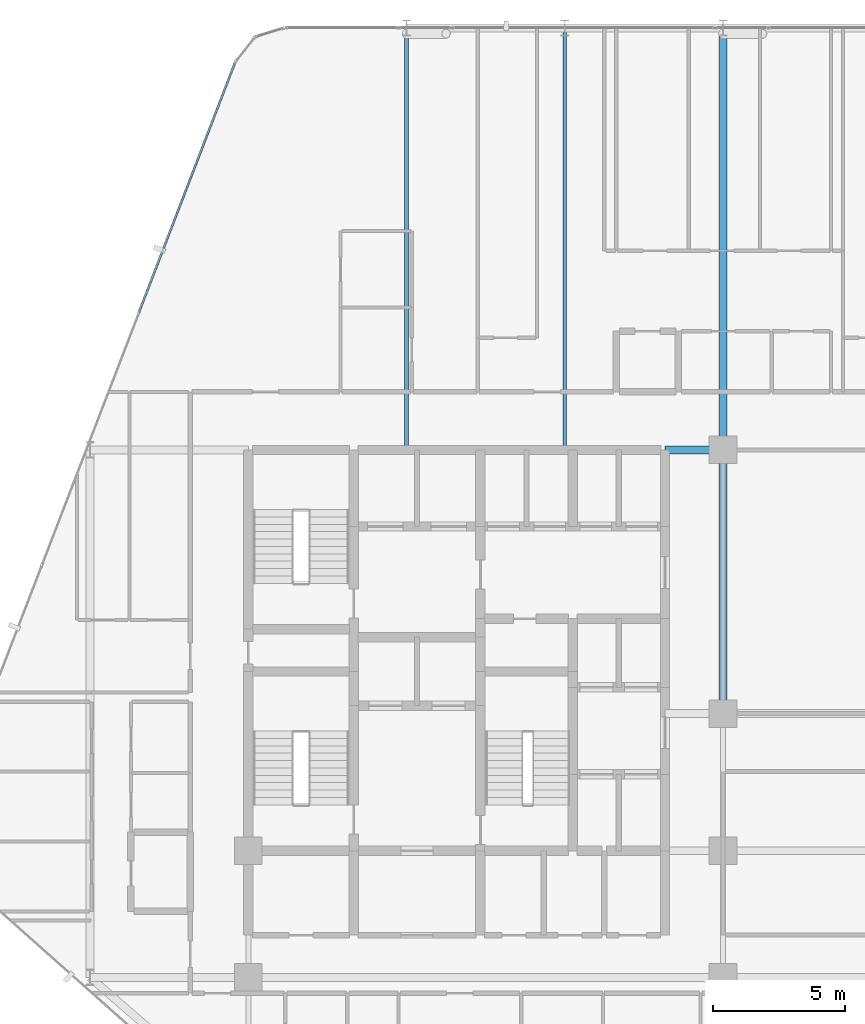
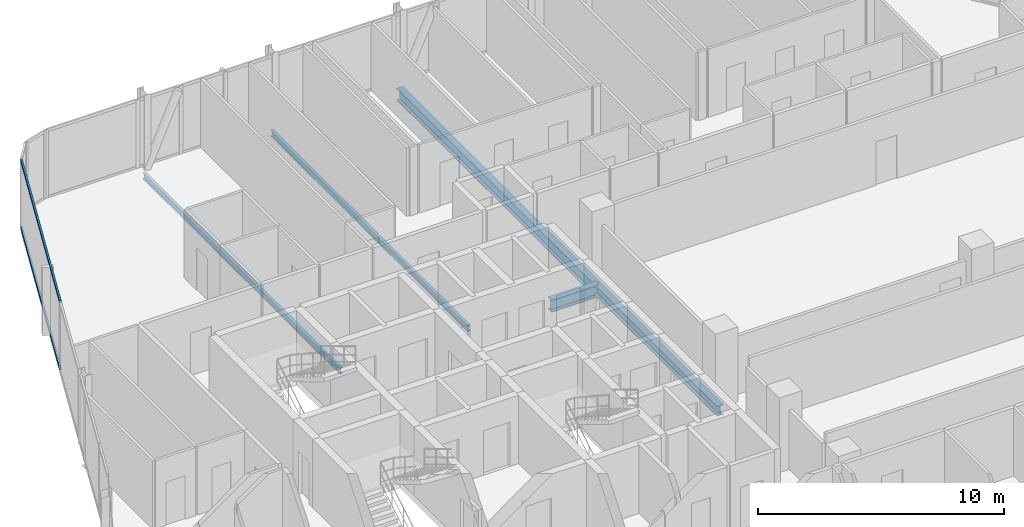
# One storey, part 15 of 29: 5 beams, 2 members, 1 element without a shape of its own.
"""IFC4 building model written with IfcOpenShell, lengths in metres."""

from ifc_helpers import new_model, si_unit, direction, frame, origin, origin_2d, place, context, subcontext, project, spatial, hollow_rectangle, i_section, extrude, material, layer, layer_set, material_profile, profile_set, type_object, element, aggregate, save


model = new_model("IFC4")

# Units and contexts
model_context = context("Model", 3, precision=1e-05, world=origin(), true_north=direction((0.0, 1.0)))
body_context = subcontext(model_context, "Body", "Model", "MODEL_VIEW")
ifc_project = project(units=[si_unit("LENGTHUNIT", "METRE"), si_unit("AREAUNIT", "SQUARE_METRE"), si_unit("VOLUMEUNIT", "CUBIC_METRE"), si_unit("PLANEANGLEUNIT", "RADIAN"), si_unit("MASSUNIT", "GRAM", prefix="KILO")], contexts=[model_context])

# Site, building, storey
site_placement = place(None, origin())
site = spatial("IfcSite", under=ifc_project, at=site_placement, CompositionType="ELEMENT")
building_placement = place(site_placement, origin())
building = spatial("IfcBuilding", under=site, at=building_placement, Name="Keshet Zoharim Tower", CompositionType="ELEMENT")
storey_placement = place(building_placement, frame((0.0, 0.0, 102.0)))
storey = spatial("IfcBuildingStorey", under=building, at=storey_placement, Name="L24", CompositionType="ELEMENT", Elevation=102.0)

# Beams
ifc_material_1 = material(Name="Steel S355", Category="steel")
ifc_material_profile_1 = material_profile(ifc_material_1, i_section(OverallWidth=0.300048828125, OverallDepth=0.60009765625, WebThickness=0.015380859375, FlangeThickness=0.030029296875, FilletRadius=0.027099609375, at=origin_2d()), Name="HEB600")
ifc_profile_set_1 = profile_set([ifc_material_profile_1], Name="Steel S355")
beam_type_1 = type_object("IfcBeamType", Name="BM-CLK-HB600", PredefinedType="BEAM", material=ifc_profile_set_1)
beam_1_placement = place(storey_placement, frame((30.800048828125, 37.89990234375, -0.614990234375), z_axis=(1.0, 0.0, 0.0), x_axis=(0.0, 1.0, 0.0)))
element("IfcBeam", 1, at=beam_1_placement, inside=storey, type_object=beam_type_1, Name="L24 Core Wall Link Girder 03", PredefinedType="BEAM", context=body_context, shape_type="SweptSolid", body=[
    extrude(i_section(OverallWidth=0.300048828125, OverallDepth=0.60009765625, WebThickness=0.015380859375, FlangeThickness=0.030029296875, FilletRadius=0.027099609375, at=origin_2d()), origin(), (0.0, 0.0, 1.0), 2.199951171875),
])
ifc_material_profile_2 = material_profile(ifc_material_1, i_section(OverallWidth=0.14990234375, OverallDepth=0.300048828125, WebThickness=0.007080078125, FlangeThickness=0.0107421875, FilletRadius=0.014892578125, at=origin_2d()), Name="IPE300")
ifc_profile_set_2 = profile_set([ifc_material_profile_2], Name="Steel S355")
beam_type_2 = type_object("IfcBeamType", Name="BM-JST-IP300", PredefinedType="JOIST", material=ifc_profile_set_2)
for number, where, z_axis, x_axis, name in (
    (2, (21.0, 37.89990234375, -0.465087890625), (0.0, 1.0, 0.0), (-1.0, 0.0, 0.0), "L24 Secondary Floor Joist J-001"),
    (3, (27.0, 37.89990234375, -0.465087890625), (0.0, 1.0, 0.0), (-1.0, 0.0, 0.0), "L24 Secondary Floor Joist J-002"),
):
    element("IfcBeam", number, at=place(storey_placement, frame(where, z_axis=z_axis, x_axis=x_axis)), inside=storey, type_object=beam_type_2, Name=name, PredefinedType="JOIST", context=body_context, shape_type="SweptSolid", body=[
        extrude(i_section(OverallWidth=0.14990234375, OverallDepth=0.300048828125, WebThickness=0.007080078125, FlangeThickness=0.0107421875, FilletRadius=0.014892578125, at=origin_2d()), origin(), (0.0, 0.0, 1.0), 16.0),
    ])
ifc_material_profile_3 = material_profile(ifc_material_1, i_section(OverallWidth=0.300048828125, OverallDepth=0.60009765625, WebThickness=0.015380859375, FlangeThickness=0.030029296875, FilletRadius=0.027099609375, at=origin_2d()), Name="HEB600")
ifc_profile_set_3 = profile_set([ifc_material_profile_3], Name="Steel S355")
beam_type_3 = type_object("IfcBeamType", Name="BM-LNG-HB600", PredefinedType="BEAM", material=ifc_profile_set_3)
beam_2_placement = place(storey_placement, frame((33.0, 37.89990234375, -0.614990234375), z_axis=(0.0, 1.0, 0.0), x_axis=(-1.0, 0.0, 0.0)))
element("IfcBeam", 4, at=beam_2_placement, inside=storey, type_object=beam_type_3, Name="L24 Primary Girder Y-011", PredefinedType="BEAM", context=body_context, shape_type="SweptSolid", body=[
    extrude(i_section(OverallWidth=0.300048828125, OverallDepth=0.60009765625, WebThickness=0.015380859375, FlangeThickness=0.030029296875, FilletRadius=0.027099609375, at=origin_2d()), origin(), (0.0, 0.0, 1.0), 16.0),
])
ifc_material_profile_4 = material_profile(ifc_material_1, i_section(OverallWidth=0.300048828125, OverallDepth=0.5, WebThickness=0.014404296875, FlangeThickness=0.028076171875, FilletRadius=0.027099609375, at=origin_2d()), Name="HEB500")
ifc_profile_set_4 = profile_set([ifc_material_profile_4], Name="Steel S355")
beam_type_4 = type_object("IfcBeamType", Name="BM-MED-HB500", PredefinedType="BEAM", material=ifc_profile_set_4)
beam_3_placement = place(storey_placement, frame((33.0, 27.89990234375, -0.56494140625), z_axis=(0.0, 1.0, 0.0), x_axis=(-1.0, 0.0, 0.0)))
element("IfcBeam", 5, at=beam_3_placement, inside=storey, type_object=beam_type_4, Name="L24 Primary Girder Y-010", PredefinedType="BEAM", context=body_context, shape_type="SweptSolid", body=[
    extrude(i_section(OverallWidth=0.300048828125, OverallDepth=0.5, WebThickness=0.014404296875, FlangeThickness=0.028076171875, FilletRadius=0.027099609375, at=origin_2d()), origin(), (0.0, 0.0, 1.0), 10.0),
])

# Curtain wall, members
ifc_material_2 = material(Name="Aluminium 6063-T6", Category="aluminium")
ifc_layer = layer(ifc_material_2, 0.159912109375)
ifc_layer_set = layer_set([ifc_layer], Name="Aluminium 6063-T6")
curtain_wall_type = type_object("IfcCurtainWallType", Name="CW-SYS-03", PredefinedType="NOTDEFINED", material=ifc_layer_set)
curtain_wall_placement = place(storey_placement, origin())
curtain_wall = element("IfcCurtainWall", 6, at=curtain_wall_placement, inside=storey, type_object=curtain_wall_type, Name="L24 Unitised Curtain Wall 10", PredefinedType="NOTDEFINED")
ifc_material_profile_5 = material_profile(ifc_material_2, hollow_rectangle(XDim=0.080078125, YDim=0.139892578125, WallThickness=0.00390625, at=origin_2d()), Name="TRN-80x140")
ifc_profile_set_5 = profile_set([ifc_material_profile_5], Name="Aluminium 6063-T6")
member_type = type_object("IfcMemberType", Name="CWT-T14", PredefinedType="USERDEFINED", material=ifc_profile_set_5)
member_1_placement = place(storey_placement, frame((10.849609375, 43.10888671875, 0.034912109375), z_axis=(0.358985546764, 0.933343118694, 0.0), x_axis=(-0.933343118694, 0.358985546764, 0.0)))
member_1 = element("IfcMember", 7, at=member_1_placement, type_object=member_type, Name="CW-03 transom 3.1", ObjectType="TRANSOM", PredefinedType="USERDEFINED", context=body_context, shape_type="SweptSolid", body=[
    extrude(hollow_rectangle(XDim=0.080078125, YDim=0.139892578125, WallThickness=0.00390625, at=origin_2d()), origin(), (0.0, 0.0, 1.0), 10.118408203125),
])
member_2_placement = place(storey_placement, frame((10.849609375, 43.10888671875, 3.35009765625), z_axis=(0.358985546764, 0.933343118694, 0.0), x_axis=(-0.933343118694, 0.358985546764, 0.0)))
member_2 = element("IfcMember", 8, at=member_2_placement, type_object=member_type, Name="CW-03 transom 3.2", ObjectType="TRANSOM", PredefinedType="USERDEFINED", context=body_context, shape_type="SweptSolid", body=[
    extrude(hollow_rectangle(XDim=0.080078125, YDim=0.139892578125, WallThickness=0.00390625, at=origin_2d()), origin(), (0.0, 0.0, 1.0), 10.118408203125),
])
aggregate(curtain_wall, [member_1, member_2])

save(model, "model.ifc")
